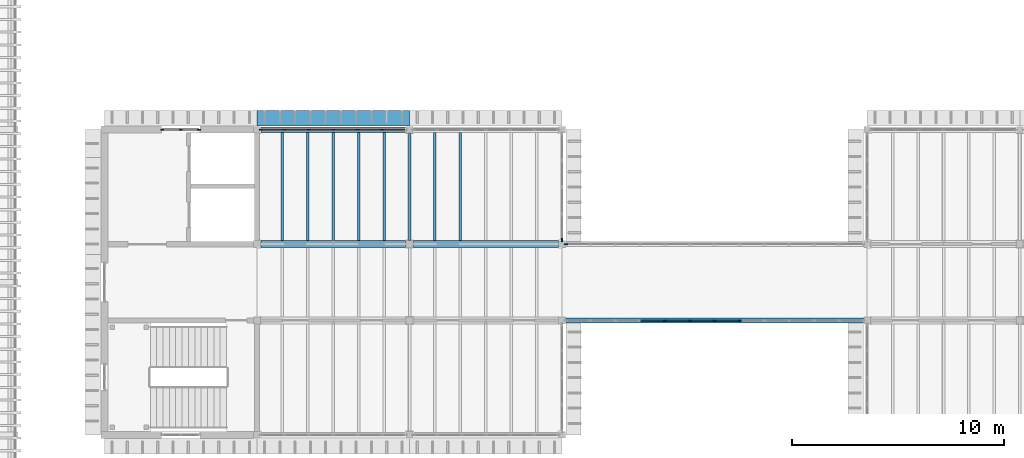
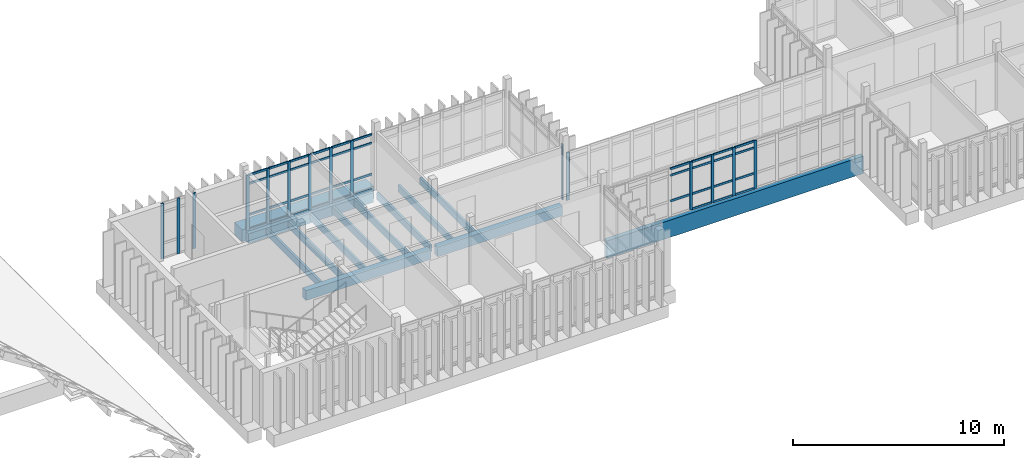
# One storey, part 12 of 71: 55 members, 12 beams, 5 elements without a shape of their own.
"""IFC4 building model written with IfcOpenShell, lengths in metres."""

from ifc_helpers import new_model, si_unit, direction, frame, origin, origin_2d, place, context, subcontext, project, spatial, rectangle, extrude, material, layer, layer_set, material_profile, profile_set, type_object, element, aggregate, save


model = new_model("IFC4")

# Units and contexts
model_context = context("Model", 3, precision=1e-05, world=origin(), true_north=direction((0.0, 1.0)))
body_context = subcontext(model_context, "Body", "Model", "MODEL_VIEW")
ifc_project = project(units=[si_unit("LENGTHUNIT", "METRE"), si_unit("AREAUNIT", "SQUARE_METRE"), si_unit("VOLUMEUNIT", "CUBIC_METRE"), si_unit("PLANEANGLEUNIT", "RADIAN"), si_unit("MASSUNIT", "GRAM", prefix="KILO")], contexts=[model_context])

# Site, building, storey
site_placement = place(None, origin())
site = spatial("IfcSite", under=ifc_project, at=site_placement, CompositionType="ELEMENT")
building_placement = place(site_placement, origin())
building = spatial("IfcBuilding", under=site, at=building_placement, Name="Mazhai Court Health Centre", CompositionType="ELEMENT")
storey_placement = place(building_placement, frame((0.0, 0.0, 10.199951171875)))
storey = spatial("IfcBuildingStorey", under=building, at=storey_placement, Name="L02", CompositionType="ELEMENT", Elevation=10.199951171875)

# Curtain wall, members
ifc_material_1 = material(Name="Teak timber frame, glazed", Category="wood")
ifc_layer_1 = layer(ifc_material_1, 0.10009765625)
ifc_layer_set_1 = layer_set([ifc_layer_1], Name="CURTAIN WALL TIMBER 900")
curtain_wall_type_1 = type_object("IfcCurtainWallType", Name="CURTAIN WALL TIMBER 900", PredefinedType="NOTDEFINED", material=ifc_layer_set_1)
curtain_wall_1_placement = place(storey_placement, origin())
curtain_wall_1 = element("IfcCurtainWall", 1, at=curtain_wall_1_placement, inside=storey, type_object=curtain_wall_type_1, Name="CW-V4-L02-B0", PredefinedType="NOTDEFINED")
ifc_material_2 = material(Name="Teak timber", Category="wood")
ifc_material_profile_1 = material_profile(ifc_material_2, rectangle(XDim=0.06005859375, YDim=0.159912109375, at=origin_2d()), Name="CW MULLION 60x160")
ifc_profile_set_1 = profile_set([ifc_material_profile_1], Name="Teak timber")
member_type_1 = type_object("IfcMemberType", Name="CW MULLION 60x160", PredefinedType="MULLION", material=ifc_profile_set_1)
member_1_placement = place(storey_placement, frame((73.72998046875, 27.800048828125, 0.0), z_axis=(0.0, 0.0, 1.0), x_axis=(0.0, 1.0, 0.0)))
member_1 = element("IfcMember", 2, at=member_1_placement, type_object=member_type_1, Name="CW mullion 1", PredefinedType="MULLION", context=body_context, shape_type="SweptSolid", body=[
    extrude(rectangle(XDim=0.06005859375, YDim=0.159912109375, at=origin_2d()), origin(), (0.0, 0.0, 1.0), 3.219970703125),
])
member_2_placement = place(storey_placement, frame((74.60009765625, 27.800048828125, 0.0), z_axis=(0.0, 0.0, 1.0), x_axis=(0.0, 1.0, 0.0)))
member_2 = element("IfcMember", 3, at=member_2_placement, type_object=member_type_1, Name="CW mullion 2", PredefinedType="MULLION", context=body_context, shape_type="SweptSolid", body=[
    extrude(rectangle(XDim=0.06005859375, YDim=0.159912109375, at=origin_2d()), origin(), (0.0, 0.0, 1.0), 3.219970703125),
])
member_3_placement = place(storey_placement, frame((75.469970703125, 27.800048828125, 0.0), z_axis=(0.0, 0.0, 1.0), x_axis=(0.0, 1.0, 0.0)))
member_3 = element("IfcMember", 4, at=member_3_placement, type_object=member_type_1, Name="CW mullion 3", PredefinedType="MULLION", context=body_context, shape_type="SweptSolid", body=[
    extrude(rectangle(XDim=0.06005859375, YDim=0.159912109375, at=origin_2d()), origin(), (0.0, 0.0, 1.0), 3.219970703125),
])
aggregate(curtain_wall_1, [member_1, member_2, member_3])

ifc_material_3 = material(Name="Teak timber frame, glazed", Category="wood")
ifc_layer_2 = layer(ifc_material_3, 0.10009765625)
ifc_layer_set_2 = layer_set([ifc_layer_2], Name="CURTAIN WALL TIMBER 1200")
curtain_wall_type_2 = type_object("IfcCurtainWallType", Name="CURTAIN WALL TIMBER 1200", PredefinedType="NOTDEFINED", material=ifc_layer_set_2)
curtain_wall_2_placement = place(storey_placement, origin())
curtain_wall_2 = element("IfcCurtainWall", 5, at=curtain_wall_2_placement, inside=storey, type_object=curtain_wall_type_2, Name="CW-V4-L02-B1", PredefinedType="NOTDEFINED")
member_4_placement = place(storey_placement, frame((78.389892578125, 27.800048828125, 0.0), z_axis=(0.0, 0.0, 1.0), x_axis=(0.0, 1.0, 0.0)))
member_4 = element("IfcMember", 6, at=member_4_placement, type_object=member_type_1, Name="CW mullion 1", PredefinedType="MULLION", context=body_context, shape_type="SweptSolid", body=[
    extrude(rectangle(XDim=0.06005859375, YDim=0.159912109375, at=origin_2d()), origin(), (0.0, 0.0, 1.0), 3.219970703125),
])
member_5_placement = place(storey_placement, frame((79.506591796875, 27.800048828125, 0.0), z_axis=(0.0, 0.0, 1.0), x_axis=(0.0, 1.0, 0.0)))
member_5 = element("IfcMember", 7, at=member_5_placement, type_object=member_type_1, Name="CW mullion 2", PredefinedType="MULLION", context=body_context, shape_type="SweptSolid", body=[
    extrude(rectangle(XDim=0.06005859375, YDim=0.159912109375, at=origin_2d()), origin(), (0.0, 0.0, 1.0), 3.219970703125),
])
member_6_placement = place(storey_placement, frame((80.6533203125, 27.800048828125, 0.0), z_axis=(0.0, 0.0, 1.0), x_axis=(0.0, 1.0, 0.0)))
member_6 = element("IfcMember", 8, at=member_6_placement, type_object=member_type_1, Name="CW mullion 3", PredefinedType="MULLION", context=body_context, shape_type="SweptSolid", body=[
    extrude(rectangle(XDim=0.06005859375, YDim=0.159912109375, at=origin_2d()), origin(), (0.0, 0.0, 1.0), 3.219970703125),
])
member_7_placement = place(storey_placement, frame((81.800048828125, 27.800048828125, 0.0), z_axis=(0.0, 0.0, 1.0), x_axis=(0.0, 1.0, 0.0)))
member_7 = element("IfcMember", 9, at=member_7_placement, type_object=member_type_1, Name="CW mullion 4", PredefinedType="MULLION", context=body_context, shape_type="SweptSolid", body=[
    extrude(rectangle(XDim=0.06005859375, YDim=0.159912109375, at=origin_2d()), origin(), (0.0, 0.0, 1.0), 3.219970703125),
])
member_8_placement = place(storey_placement, frame((82.94677734375, 27.800048828125, 0.0), z_axis=(0.0, 0.0, 1.0), x_axis=(0.0, 1.0, 0.0)))
member_8 = element("IfcMember", 10, at=member_8_placement, type_object=member_type_1, Name="CW mullion 5", PredefinedType="MULLION", context=body_context, shape_type="SweptSolid", body=[
    extrude(rectangle(XDim=0.06005859375, YDim=0.159912109375, at=origin_2d()), origin(), (0.0, 0.0, 1.0), 3.219970703125),
])
member_9_placement = place(storey_placement, frame((84.09326171875, 27.800048828125, 0.0), z_axis=(0.0, 0.0, 1.0), x_axis=(0.0, 1.0, 0.0)))
member_9 = element("IfcMember", 11, at=member_9_placement, type_object=member_type_1, Name="CW mullion 6", PredefinedType="MULLION", context=body_context, shape_type="SweptSolid", body=[
    extrude(rectangle(XDim=0.06005859375, YDim=0.159912109375, at=origin_2d()), origin(), (0.0, 0.0, 1.0), 3.219970703125),
])

# Curtain wall, member
curtain_wall_3_placement = place(storey_placement, origin())
curtain_wall_3 = element("IfcCurtainWall", 12, at=curtain_wall_3_placement, inside=storey, type_object=curtain_wall_type_2, Name="CW-V4-L02-CE2-1", PredefinedType="NOTDEFINED")
member_10_placement = place(storey_placement, frame((92.60009765625, 22.590087890625, 0.0), z_axis=(0.0, 0.0, 1.0), x_axis=(1.0, 0.0, 0.0)))
member_10 = element("IfcMember", 13, at=member_10_placement, type_object=member_type_1, Name="CW mullion 5", PredefinedType="MULLION", context=body_context, shape_type="SweptSolid", body=[
    extrude(rectangle(XDim=0.06005859375, YDim=0.159912109375, at=origin_2d()), origin(), (0.0, 0.0, 1.0), 3.199951171875),
])
aggregate(curtain_wall_3, [member_10])

# Curtain wall, members
curtain_wall_4_placement = place(storey_placement, origin())
curtain_wall_4 = element("IfcCurtainWall", 14, at=curtain_wall_4_placement, inside=storey, type_object=curtain_wall_type_2, Name="CW-BR-LC2-S", PredefinedType="NOTDEFINED")
member_11_placement = place(storey_placement, frame((97.453369140625, 18.800048828125, 0.0), z_axis=(0.0, 0.0, 1.0), x_axis=(0.0, 1.0, 0.0)))
member_11 = element("IfcMember", 15, at=member_11_placement, type_object=member_type_1, Name="CW mullion 5", PredefinedType="MULLION", context=body_context, shape_type="SweptSolid", body=[
    extrude(rectangle(XDim=0.06005859375, YDim=0.159912109375, at=origin_2d()), origin(), (0.0, 0.0, 1.0), 2.780029296875),
])
member_12_placement = place(storey_placement, frame((98.626708984375, 18.800048828125, 0.0), z_axis=(0.0, 0.0, 1.0), x_axis=(0.0, 1.0, 0.0)))
member_12 = element("IfcMember", 16, at=member_12_placement, type_object=member_type_1, Name="CW mullion 6", PredefinedType="MULLION", context=body_context, shape_type="SweptSolid", body=[
    extrude(rectangle(XDim=0.06005859375, YDim=0.159912109375, at=origin_2d()), origin(), (0.0, 0.0, 1.0), 2.780029296875),
])
member_13_placement = place(storey_placement, frame((99.800048828125, 18.800048828125, 0.0), z_axis=(0.0, 0.0, 1.0), x_axis=(0.0, 1.0, 0.0)))
member_13 = element("IfcMember", 17, at=member_13_placement, type_object=member_type_1, Name="CW mullion 7", PredefinedType="MULLION", context=body_context, shape_type="SweptSolid", body=[
    extrude(rectangle(XDim=0.06005859375, YDim=0.159912109375, at=origin_2d()), origin(), (0.0, 0.0, 1.0), 2.780029296875),
])
member_14_placement = place(storey_placement, frame((100.973388671875, 18.800048828125, 0.0), z_axis=(0.0, 0.0, 1.0), x_axis=(0.0, 1.0, 0.0)))
member_14 = element("IfcMember", 18, at=member_14_placement, type_object=member_type_1, Name="CW mullion 8", PredefinedType="MULLION", context=body_context, shape_type="SweptSolid", body=[
    extrude(rectangle(XDim=0.06005859375, YDim=0.159912109375, at=origin_2d()), origin(), (0.0, 0.0, 1.0), 2.780029296875),
])

# Curtain wall, member
curtain_wall_5_placement = place(storey_placement, origin())
curtain_wall_5 = element("IfcCurtainWall", 19, at=curtain_wall_5_placement, inside=storey, type_object=curtain_wall_type_2, Name="CW-BR-LC2-N", PredefinedType="NOTDEFINED")
member_15_placement = place(storey_placement, frame((92.7900390625, 22.39990234375, 0.0), z_axis=(0.0, 0.0, 1.0), x_axis=(0.0, 1.0, 0.0)))
member_15 = element("IfcMember", 20, at=member_15_placement, type_object=member_type_1, Name="CW mullion 1", PredefinedType="MULLION", context=body_context, shape_type="SweptSolid", body=[
    extrude(rectangle(XDim=0.06005859375, YDim=0.159912109375, at=origin_2d()), origin(), (0.0, 0.0, 1.0), 2.780029296875),
])
aggregate(curtain_wall_5, [member_15])

# Member
ifc_material_4 = material(Name="Teak timber", Category="wood")
ifc_material_profile_2 = material_profile(ifc_material_4, rectangle(XDim=0.06005859375, YDim=0.1201171875, at=origin_2d()), Name="CW TRANSOM 60x120")
ifc_profile_set_2 = profile_set([ifc_material_profile_2], Name="Teak timber")
member_type_2 = type_object("IfcMemberType", Name="CW TRANSOM 60x120", PredefinedType="USERDEFINED", material=ifc_profile_set_2)
member_16_placement = place(storey_placement, frame((78.419921875, 27.800048828125, 0.030029296875), z_axis=(1.0, 0.0, 0.0), x_axis=(0.0, 1.0, 0.0)))
member_16 = element("IfcMember", 21, at=member_16_placement, type_object=member_type_2, Name="CW transom 1.1", ObjectType="TRANSOM", PredefinedType="USERDEFINED", context=body_context, shape_type="SweptSolid", body=[
    extrude(rectangle(XDim=0.06005859375, YDim=0.1201171875, at=origin_2d()), origin(), (0.0, 0.0, 1.0), 1.056640625),
])

member_17_placement = place(storey_placement, frame((78.419921875, 27.800048828125, 0.900146484375), z_axis=(1.0, 0.0, 0.0), x_axis=(0.0, 1.0, 0.0)))
member_17 = element("IfcMember", 22, at=member_17_placement, type_object=member_type_2, Name="CW transom 1.2", ObjectType="TRANSOM", PredefinedType="USERDEFINED", context=body_context, shape_type="SweptSolid", body=[
    extrude(rectangle(XDim=0.06005859375, YDim=0.1201171875, at=origin_2d()), origin(), (0.0, 0.0, 1.0), 1.056640625),
])

member_18_placement = place(storey_placement, frame((78.419921875, 27.800048828125, 2.699951171875), z_axis=(1.0, 0.0, 0.0), x_axis=(0.0, 1.0, 0.0)))
member_18 = element("IfcMember", 23, at=member_18_placement, type_object=member_type_2, Name="CW transom 1.3", ObjectType="TRANSOM", PredefinedType="USERDEFINED", context=body_context, shape_type="SweptSolid", body=[
    extrude(rectangle(XDim=0.06005859375, YDim=0.1201171875, at=origin_2d()), origin(), (0.0, 0.0, 1.0), 1.056640625),
])

member_19_placement = place(storey_placement, frame((78.419921875, 27.800048828125, 3.18994140625), z_axis=(1.0, 0.0, 0.0), x_axis=(0.0, 1.0, 0.0)))
member_19 = element("IfcMember", 24, at=member_19_placement, type_object=member_type_2, Name="CW transom 1.4", ObjectType="TRANSOM", PredefinedType="USERDEFINED", context=body_context, shape_type="SweptSolid", body=[
    extrude(rectangle(XDim=0.06005859375, YDim=0.1201171875, at=origin_2d()), origin(), (0.0, 0.0, 1.0), 1.056640625),
])

member_20_placement = place(storey_placement, frame((79.53662109375, 27.800048828125, 0.030029296875), z_axis=(1.0, 0.0, 0.0), x_axis=(0.0, 1.0, 0.0)))
member_20 = element("IfcMember", 25, at=member_20_placement, type_object=member_type_2, Name="CW transom 2.1", ObjectType="TRANSOM", PredefinedType="USERDEFINED", context=body_context, shape_type="SweptSolid", body=[
    extrude(rectangle(XDim=0.06005859375, YDim=0.1201171875, at=origin_2d()), origin(), (0.0, 0.0, 1.0), 1.086669921875),
])

member_21_placement = place(storey_placement, frame((79.53662109375, 27.800048828125, 0.900146484375), z_axis=(1.0, 0.0, 0.0), x_axis=(0.0, 1.0, 0.0)))
member_21 = element("IfcMember", 26, at=member_21_placement, type_object=member_type_2, Name="CW transom 2.2", ObjectType="TRANSOM", PredefinedType="USERDEFINED", context=body_context, shape_type="SweptSolid", body=[
    extrude(rectangle(XDim=0.06005859375, YDim=0.1201171875, at=origin_2d()), origin(), (0.0, 0.0, 1.0), 1.086669921875),
])

member_22_placement = place(storey_placement, frame((79.53662109375, 27.800048828125, 2.699951171875), z_axis=(1.0, 0.0, 0.0), x_axis=(0.0, 1.0, 0.0)))
member_22 = element("IfcMember", 27, at=member_22_placement, type_object=member_type_2, Name="CW transom 2.3", ObjectType="TRANSOM", PredefinedType="USERDEFINED", context=body_context, shape_type="SweptSolid", body=[
    extrude(rectangle(XDim=0.06005859375, YDim=0.1201171875, at=origin_2d()), origin(), (0.0, 0.0, 1.0), 1.086669921875),
])

member_23_placement = place(storey_placement, frame((79.53662109375, 27.800048828125, 3.18994140625), z_axis=(1.0, 0.0, 0.0), x_axis=(0.0, 1.0, 0.0)))
member_23 = element("IfcMember", 28, at=member_23_placement, type_object=member_type_2, Name="CW transom 2.4", ObjectType="TRANSOM", PredefinedType="USERDEFINED", context=body_context, shape_type="SweptSolid", body=[
    extrude(rectangle(XDim=0.06005859375, YDim=0.1201171875, at=origin_2d()), origin(), (0.0, 0.0, 1.0), 1.086669921875),
])

member_24_placement = place(storey_placement, frame((80.683349609375, 27.800048828125, 0.030029296875), z_axis=(1.0, 0.0, 0.0), x_axis=(0.0, 1.0, 0.0)))
member_24 = element("IfcMember", 29, at=member_24_placement, type_object=member_type_2, Name="CW transom 3.1", ObjectType="TRANSOM", PredefinedType="USERDEFINED", context=body_context, shape_type="SweptSolid", body=[
    extrude(rectangle(XDim=0.06005859375, YDim=0.1201171875, at=origin_2d()), origin(), (0.0, 0.0, 1.0), 1.086669921875),
])

member_25_placement = place(storey_placement, frame((80.683349609375, 27.800048828125, 0.900146484375), z_axis=(1.0, 0.0, 0.0), x_axis=(0.0, 1.0, 0.0)))
member_25 = element("IfcMember", 30, at=member_25_placement, type_object=member_type_2, Name="CW transom 3.2", ObjectType="TRANSOM", PredefinedType="USERDEFINED", context=body_context, shape_type="SweptSolid", body=[
    extrude(rectangle(XDim=0.06005859375, YDim=0.1201171875, at=origin_2d()), origin(), (0.0, 0.0, 1.0), 1.086669921875),
])

member_26_placement = place(storey_placement, frame((80.683349609375, 27.800048828125, 2.699951171875), z_axis=(1.0, 0.0, 0.0), x_axis=(0.0, 1.0, 0.0)))
member_26 = element("IfcMember", 31, at=member_26_placement, type_object=member_type_2, Name="CW transom 3.3", ObjectType="TRANSOM", PredefinedType="USERDEFINED", context=body_context, shape_type="SweptSolid", body=[
    extrude(rectangle(XDim=0.06005859375, YDim=0.1201171875, at=origin_2d()), origin(), (0.0, 0.0, 1.0), 1.086669921875),
])

member_27_placement = place(storey_placement, frame((80.683349609375, 27.800048828125, 3.18994140625), z_axis=(1.0, 0.0, 0.0), x_axis=(0.0, 1.0, 0.0)))
member_27 = element("IfcMember", 32, at=member_27_placement, type_object=member_type_2, Name="CW transom 3.4", ObjectType="TRANSOM", PredefinedType="USERDEFINED", context=body_context, shape_type="SweptSolid", body=[
    extrude(rectangle(XDim=0.06005859375, YDim=0.1201171875, at=origin_2d()), origin(), (0.0, 0.0, 1.0), 1.086669921875),
])

member_28_placement = place(storey_placement, frame((81.830078125, 27.800048828125, 0.030029296875), z_axis=(1.0, 0.0, 0.0), x_axis=(0.0, 1.0, 0.0)))
member_28 = element("IfcMember", 33, at=member_28_placement, type_object=member_type_2, Name="CW transom 4.1", ObjectType="TRANSOM", PredefinedType="USERDEFINED", context=body_context, shape_type="SweptSolid", body=[
    extrude(rectangle(XDim=0.06005859375, YDim=0.1201171875, at=origin_2d()), origin(), (0.0, 0.0, 1.0), 1.086669921875),
])

member_29_placement = place(storey_placement, frame((81.830078125, 27.800048828125, 0.900146484375), z_axis=(1.0, 0.0, 0.0), x_axis=(0.0, 1.0, 0.0)))
member_29 = element("IfcMember", 34, at=member_29_placement, type_object=member_type_2, Name="CW transom 4.2", ObjectType="TRANSOM", PredefinedType="USERDEFINED", context=body_context, shape_type="SweptSolid", body=[
    extrude(rectangle(XDim=0.06005859375, YDim=0.1201171875, at=origin_2d()), origin(), (0.0, 0.0, 1.0), 1.086669921875),
])

member_30_placement = place(storey_placement, frame((81.830078125, 27.800048828125, 2.699951171875), z_axis=(1.0, 0.0, 0.0), x_axis=(0.0, 1.0, 0.0)))
member_30 = element("IfcMember", 35, at=member_30_placement, type_object=member_type_2, Name="CW transom 4.3", ObjectType="TRANSOM", PredefinedType="USERDEFINED", context=body_context, shape_type="SweptSolid", body=[
    extrude(rectangle(XDim=0.06005859375, YDim=0.1201171875, at=origin_2d()), origin(), (0.0, 0.0, 1.0), 1.086669921875),
])

member_31_placement = place(storey_placement, frame((81.830078125, 27.800048828125, 3.18994140625), z_axis=(1.0, 0.0, 0.0), x_axis=(0.0, 1.0, 0.0)))
member_31 = element("IfcMember", 36, at=member_31_placement, type_object=member_type_2, Name="CW transom 4.4", ObjectType="TRANSOM", PredefinedType="USERDEFINED", context=body_context, shape_type="SweptSolid", body=[
    extrude(rectangle(XDim=0.06005859375, YDim=0.1201171875, at=origin_2d()), origin(), (0.0, 0.0, 1.0), 1.086669921875),
])

member_32_placement = place(storey_placement, frame((82.9765625, 27.800048828125, 0.030029296875), z_axis=(1.0, 0.0, 0.0), x_axis=(0.0, 1.0, 0.0)))
member_32 = element("IfcMember", 37, at=member_32_placement, type_object=member_type_2, Name="CW transom 5.1", ObjectType="TRANSOM", PredefinedType="USERDEFINED", context=body_context, shape_type="SweptSolid", body=[
    extrude(rectangle(XDim=0.06005859375, YDim=0.1201171875, at=origin_2d()), origin(), (0.0, 0.0, 1.0), 1.086669921875),
])

member_33_placement = place(storey_placement, frame((82.9765625, 27.800048828125, 0.900146484375), z_axis=(1.0, 0.0, 0.0), x_axis=(0.0, 1.0, 0.0)))
member_33 = element("IfcMember", 38, at=member_33_placement, type_object=member_type_2, Name="CW transom 5.2", ObjectType="TRANSOM", PredefinedType="USERDEFINED", context=body_context, shape_type="SweptSolid", body=[
    extrude(rectangle(XDim=0.06005859375, YDim=0.1201171875, at=origin_2d()), origin(), (0.0, 0.0, 1.0), 1.086669921875),
])

member_34_placement = place(storey_placement, frame((82.9765625, 27.800048828125, 2.699951171875), z_axis=(1.0, 0.0, 0.0), x_axis=(0.0, 1.0, 0.0)))
member_34 = element("IfcMember", 39, at=member_34_placement, type_object=member_type_2, Name="CW transom 5.3", ObjectType="TRANSOM", PredefinedType="USERDEFINED", context=body_context, shape_type="SweptSolid", body=[
    extrude(rectangle(XDim=0.06005859375, YDim=0.1201171875, at=origin_2d()), origin(), (0.0, 0.0, 1.0), 1.086669921875),
])

member_35_placement = place(storey_placement, frame((82.9765625, 27.800048828125, 3.18994140625), z_axis=(1.0, 0.0, 0.0), x_axis=(0.0, 1.0, 0.0)))
member_35 = element("IfcMember", 40, at=member_35_placement, type_object=member_type_2, Name="CW transom 5.4", ObjectType="TRANSOM", PredefinedType="USERDEFINED", context=body_context, shape_type="SweptSolid", body=[
    extrude(rectangle(XDim=0.06005859375, YDim=0.1201171875, at=origin_2d()), origin(), (0.0, 0.0, 1.0), 1.086669921875),
])

member_36_placement = place(storey_placement, frame((84.123291015625, 27.800048828125, 0.030029296875), z_axis=(1.0, 0.0, 0.0), x_axis=(0.0, 1.0, 0.0)))
member_36 = element("IfcMember", 41, at=member_36_placement, type_object=member_type_2, Name="CW transom 6.1", ObjectType="TRANSOM", PredefinedType="USERDEFINED", context=body_context, shape_type="SweptSolid", body=[
    extrude(rectangle(XDim=0.06005859375, YDim=0.1201171875, at=origin_2d()), origin(), (0.0, 0.0, 1.0), 1.056640625),
])

member_37_placement = place(storey_placement, frame((84.123291015625, 27.800048828125, 0.900146484375), z_axis=(1.0, 0.0, 0.0), x_axis=(0.0, 1.0, 0.0)))
member_37 = element("IfcMember", 42, at=member_37_placement, type_object=member_type_2, Name="CW transom 6.2", ObjectType="TRANSOM", PredefinedType="USERDEFINED", context=body_context, shape_type="SweptSolid", body=[
    extrude(rectangle(XDim=0.06005859375, YDim=0.1201171875, at=origin_2d()), origin(), (0.0, 0.0, 1.0), 1.056640625),
])

member_38_placement = place(storey_placement, frame((84.123291015625, 27.800048828125, 2.699951171875), z_axis=(1.0, 0.0, 0.0), x_axis=(0.0, 1.0, 0.0)))
member_38 = element("IfcMember", 43, at=member_38_placement, type_object=member_type_2, Name="CW transom 6.3", ObjectType="TRANSOM", PredefinedType="USERDEFINED", context=body_context, shape_type="SweptSolid", body=[
    extrude(rectangle(XDim=0.06005859375, YDim=0.1201171875, at=origin_2d()), origin(), (0.0, 0.0, 1.0), 1.056640625),
])

member_39_placement = place(storey_placement, frame((84.123291015625, 27.800048828125, 3.18994140625), z_axis=(1.0, 0.0, 0.0), x_axis=(0.0, 1.0, 0.0)))
member_39 = element("IfcMember", 44, at=member_39_placement, type_object=member_type_2, Name="CW transom 6.4", ObjectType="TRANSOM", PredefinedType="USERDEFINED", context=body_context, shape_type="SweptSolid", body=[
    extrude(rectangle(XDim=0.06005859375, YDim=0.1201171875, at=origin_2d()), origin(), (0.0, 0.0, 1.0), 1.056640625),
])

aggregate(curtain_wall_2, [member_4, member_5, member_6, member_7, member_8, member_9, member_16, member_17, member_18, member_19, member_20, member_21, member_22, member_23, member_24, member_25, member_26, member_27, member_28, member_29, member_30, member_31, member_32, member_33, member_34, member_35, member_36, member_37, member_38, member_39])

member_40_placement = place(storey_placement, frame((96.31005859375, 18.800048828125, 0.900146484375), z_axis=(1.0, 0.0, 0.0), x_axis=(0.0, 1.0, 0.0)))
member_40 = element("IfcMember", 45, at=member_40_placement, type_object=member_type_2, Name="CW transom 4.2", ObjectType="TRANSOM", PredefinedType="USERDEFINED", context=body_context, shape_type="SweptSolid", body=[
    extrude(rectangle(XDim=0.06005859375, YDim=0.1201171875, at=origin_2d()), origin(), (0.0, 0.0, 1.0), 1.11328125),
])

member_41_placement = place(storey_placement, frame((96.31005859375, 18.800048828125, 2.380126953125), z_axis=(1.0, 0.0, 0.0), x_axis=(0.0, 1.0, 0.0)))
member_41 = element("IfcMember", 46, at=member_41_placement, type_object=member_type_2, Name="CW transom 4.3", ObjectType="TRANSOM", PredefinedType="USERDEFINED", context=body_context, shape_type="SweptSolid", body=[
    extrude(rectangle(XDim=0.06005859375, YDim=0.1201171875, at=origin_2d()), origin(), (0.0, 0.0, 1.0), 1.11328125),
])

member_42_placement = place(storey_placement, frame((96.31005859375, 18.800048828125, 2.75), z_axis=(1.0, 0.0, 0.0), x_axis=(0.0, 1.0, 0.0)))
member_42 = element("IfcMember", 47, at=member_42_placement, type_object=member_type_2, Name="CW transom 4.4", ObjectType="TRANSOM", PredefinedType="USERDEFINED", context=body_context, shape_type="SweptSolid", body=[
    extrude(rectangle(XDim=0.06005859375, YDim=0.1201171875, at=origin_2d()), origin(), (0.0, 0.0, 1.0), 1.11328125),
])

member_43_placement = place(storey_placement, frame((97.4833984375, 18.800048828125, 0.030029296875), z_axis=(1.0, 0.0, 0.0), x_axis=(0.0, 1.0, 0.0)))
member_43 = element("IfcMember", 48, at=member_43_placement, type_object=member_type_2, Name="CW transom 5.1", ObjectType="TRANSOM", PredefinedType="USERDEFINED", context=body_context, shape_type="SweptSolid", body=[
    extrude(rectangle(XDim=0.06005859375, YDim=0.1201171875, at=origin_2d()), origin(), (0.0, 0.0, 1.0), 1.11328125),
])

member_44_placement = place(storey_placement, frame((97.4833984375, 18.800048828125, 0.900146484375), z_axis=(1.0, 0.0, 0.0), x_axis=(0.0, 1.0, 0.0)))
member_44 = element("IfcMember", 49, at=member_44_placement, type_object=member_type_2, Name="CW transom 5.2", ObjectType="TRANSOM", PredefinedType="USERDEFINED", context=body_context, shape_type="SweptSolid", body=[
    extrude(rectangle(XDim=0.06005859375, YDim=0.1201171875, at=origin_2d()), origin(), (0.0, 0.0, 1.0), 1.11328125),
])

member_45_placement = place(storey_placement, frame((97.4833984375, 18.800048828125, 2.380126953125), z_axis=(1.0, 0.0, 0.0), x_axis=(0.0, 1.0, 0.0)))
member_45 = element("IfcMember", 50, at=member_45_placement, type_object=member_type_2, Name="CW transom 5.3", ObjectType="TRANSOM", PredefinedType="USERDEFINED", context=body_context, shape_type="SweptSolid", body=[
    extrude(rectangle(XDim=0.06005859375, YDim=0.1201171875, at=origin_2d()), origin(), (0.0, 0.0, 1.0), 1.11328125),
])

member_46_placement = place(storey_placement, frame((97.4833984375, 18.800048828125, 2.75), z_axis=(1.0, 0.0, 0.0), x_axis=(0.0, 1.0, 0.0)))
member_46 = element("IfcMember", 51, at=member_46_placement, type_object=member_type_2, Name="CW transom 5.4", ObjectType="TRANSOM", PredefinedType="USERDEFINED", context=body_context, shape_type="SweptSolid", body=[
    extrude(rectangle(XDim=0.06005859375, YDim=0.1201171875, at=origin_2d()), origin(), (0.0, 0.0, 1.0), 1.11328125),
])

member_47_placement = place(storey_placement, frame((98.65673828125, 18.800048828125, 0.030029296875), z_axis=(1.0, 0.0, 0.0), x_axis=(0.0, 1.0, 0.0)))
member_47 = element("IfcMember", 52, at=member_47_placement, type_object=member_type_2, Name="CW transom 6.1", ObjectType="TRANSOM", PredefinedType="USERDEFINED", context=body_context, shape_type="SweptSolid", body=[
    extrude(rectangle(XDim=0.06005859375, YDim=0.1201171875, at=origin_2d()), origin(), (0.0, 0.0, 1.0), 1.11328125),
])

member_48_placement = place(storey_placement, frame((98.65673828125, 18.800048828125, 0.900146484375), z_axis=(1.0, 0.0, 0.0), x_axis=(0.0, 1.0, 0.0)))
member_48 = element("IfcMember", 53, at=member_48_placement, type_object=member_type_2, Name="CW transom 6.2", ObjectType="TRANSOM", PredefinedType="USERDEFINED", context=body_context, shape_type="SweptSolid", body=[
    extrude(rectangle(XDim=0.06005859375, YDim=0.1201171875, at=origin_2d()), origin(), (0.0, 0.0, 1.0), 1.11328125),
])

member_49_placement = place(storey_placement, frame((98.65673828125, 18.800048828125, 2.380126953125), z_axis=(1.0, 0.0, 0.0), x_axis=(0.0, 1.0, 0.0)))
member_49 = element("IfcMember", 54, at=member_49_placement, type_object=member_type_2, Name="CW transom 6.3", ObjectType="TRANSOM", PredefinedType="USERDEFINED", context=body_context, shape_type="SweptSolid", body=[
    extrude(rectangle(XDim=0.06005859375, YDim=0.1201171875, at=origin_2d()), origin(), (0.0, 0.0, 1.0), 1.11328125),
])

member_50_placement = place(storey_placement, frame((98.65673828125, 18.800048828125, 2.75), z_axis=(1.0, 0.0, 0.0), x_axis=(0.0, 1.0, 0.0)))
member_50 = element("IfcMember", 55, at=member_50_placement, type_object=member_type_2, Name="CW transom 6.4", ObjectType="TRANSOM", PredefinedType="USERDEFINED", context=body_context, shape_type="SweptSolid", body=[
    extrude(rectangle(XDim=0.06005859375, YDim=0.1201171875, at=origin_2d()), origin(), (0.0, 0.0, 1.0), 1.11328125),
])

member_51_placement = place(storey_placement, frame((99.830078125, 18.800048828125, 0.030029296875), z_axis=(1.0, 0.0, 0.0), x_axis=(0.0, 1.0, 0.0)))
member_51 = element("IfcMember", 56, at=member_51_placement, type_object=member_type_2, Name="CW transom 7.1", ObjectType="TRANSOM", PredefinedType="USERDEFINED", context=body_context, shape_type="SweptSolid", body=[
    extrude(rectangle(XDim=0.06005859375, YDim=0.1201171875, at=origin_2d()), origin(), (0.0, 0.0, 1.0), 1.11328125),
])

member_52_placement = place(storey_placement, frame((99.830078125, 18.800048828125, 0.900146484375), z_axis=(1.0, 0.0, 0.0), x_axis=(0.0, 1.0, 0.0)))
member_52 = element("IfcMember", 57, at=member_52_placement, type_object=member_type_2, Name="CW transom 7.2", ObjectType="TRANSOM", PredefinedType="USERDEFINED", context=body_context, shape_type="SweptSolid", body=[
    extrude(rectangle(XDim=0.06005859375, YDim=0.1201171875, at=origin_2d()), origin(), (0.0, 0.0, 1.0), 1.11328125),
])

member_53_placement = place(storey_placement, frame((99.830078125, 18.800048828125, 2.380126953125), z_axis=(1.0, 0.0, 0.0), x_axis=(0.0, 1.0, 0.0)))
member_53 = element("IfcMember", 58, at=member_53_placement, type_object=member_type_2, Name="CW transom 7.3", ObjectType="TRANSOM", PredefinedType="USERDEFINED", context=body_context, shape_type="SweptSolid", body=[
    extrude(rectangle(XDim=0.06005859375, YDim=0.1201171875, at=origin_2d()), origin(), (0.0, 0.0, 1.0), 1.11328125),
])

member_54_placement = place(storey_placement, frame((99.830078125, 18.800048828125, 2.75), z_axis=(1.0, 0.0, 0.0), x_axis=(0.0, 1.0, 0.0)))
member_54 = element("IfcMember", 59, at=member_54_placement, type_object=member_type_2, Name="CW transom 7.4", ObjectType="TRANSOM", PredefinedType="USERDEFINED", context=body_context, shape_type="SweptSolid", body=[
    extrude(rectangle(XDim=0.06005859375, YDim=0.1201171875, at=origin_2d()), origin(), (0.0, 0.0, 1.0), 1.11328125),
])

aggregate(curtain_wall_4, [member_11, member_12, member_13, member_14, member_40, member_41, member_42, member_43, member_44, member_45, member_46, member_47, member_48, member_49, member_50, member_51, member_52, member_53, member_54])

ifc_material_5 = material(Name="Glulam GL24h", Category="wood")
ifc_material_profile_3 = material_profile(ifc_material_5, rectangle(XDim=0.719970703125, YDim=0.699951171875, at=origin_2d()), Name="FIN RAIL 720x700")
ifc_profile_set_3 = profile_set([ifc_material_profile_3], Name="Glulam GL24h")
member_type_3 = type_object("IfcMemberType", Name="FIN RAIL 720x700", PredefinedType="USERDEFINED", material=ifc_profile_set_3)
member_55_placement = place(storey_placement, frame((78.199951171875, 28.340087890625, -0.349853515625), z_axis=(1.0, 0.0, 0.0), x_axis=(0.0, 1.0, 0.0)))
element("IfcMember", 60, at=member_55_placement, inside=storey, type_object=member_type_3, Name="FR-V4-B1-L02", ObjectType="FIN RAIL", PredefinedType="USERDEFINED", context=body_context, shape_type="SweptSolid", body=[
    extrude(rectangle(XDim=0.719970703125, YDim=0.699951171875, at=origin_2d()), origin(), (0.0, 0.0, 1.0), 7.199951171875),
])

# Beams
ifc_material_6 = material(Name="Glulam GL24h", Category="wood")
ifc_material_profile_4 = material_profile(ifc_material_6, rectangle(XDim=0.1201171875, YDim=0.39990234375, at=origin_2d()), Name="GL24h 120x400")
ifc_profile_set_4 = profile_set([ifc_material_profile_4], Name="Glulam GL24h")
beam_type_1 = type_object("IfcBeamType", Name="GL24h 120x400 joist", PredefinedType="JOIST", material=ifc_profile_set_4)
for number, where, z_axis, x_axis, name in (
    (61, (79.39990234375, 22.56005859375, -0.320068359375), (0.0, 1.0, 0.0), (-1.0, 0.0, 0.0), "joist-V4-L02-1-C1"),
    (62, (80.60009765625, 22.56005859375, -0.320068359375), (0.0, 1.0, 0.0), (-1.0, 0.0, 0.0), "joist-V4-L02-1-C2"),
    (63, (81.800048828125, 22.56005859375, -0.320068359375), (0.0, 1.0, 0.0), (-1.0, 0.0, 0.0), "joist-V4-L02-1-C3"),
    (64, (83.0, 22.56005859375, -0.320068359375), (0.0, 1.0, 0.0), (-1.0, 0.0, 0.0), "joist-V4-L02-1-C4"),
    (65, (84.199951171875, 22.56005859375, -0.320068359375), (0.0, 1.0, 0.0), (-1.0, 0.0, 0.0), "joist-V4-L02-1-C5"),
):
    element("IfcBeam", number, at=place(storey_placement, frame(where, z_axis=z_axis, x_axis=x_axis)), inside=storey, type_object=beam_type_1, Name=name, PredefinedType="JOIST", context=body_context, shape_type="SweptSolid", body=[
        extrude(rectangle(XDim=0.1201171875, YDim=0.39990234375, at=origin_2d()), origin(), (0.0, 0.0, 1.0), 5.119873046875),
    ])
beam_1_placement = place(storey_placement, frame((85.39990234375, 22.580078125, -0.320068359375), z_axis=(0.0, 1.0, 0.0), x_axis=(-1.0, 0.0, 0.0)))
element("IfcBeam", 66, at=beam_1_placement, inside=storey, type_object=beam_type_1, Name="joist-V4-L02-2-C0", PredefinedType="JOIST", context=body_context, shape_type="SweptSolid", body=[
    extrude(rectangle(XDim=0.1201171875, YDim=0.39990234375, at=origin_2d()), origin(), (0.0, 0.0, 1.0), 5.0400390625),
])
for number, where, z_axis, x_axis, name in (
    (67, (86.60009765625, 22.56005859375, -0.320068359375), (0.0, 1.0, 0.0), (-1.0, 0.0, 0.0), "joist-V4-L02-2-C1"),
    (68, (87.800048828125, 22.56005859375, -0.320068359375), (0.0, 1.0, 0.0), (-1.0, 0.0, 0.0), "joist-V4-L02-2-C2"),
):
    element("IfcBeam", number, at=place(storey_placement, frame(where, z_axis=z_axis, x_axis=x_axis)), inside=storey, type_object=beam_type_1, Name=name, PredefinedType="JOIST", context=body_context, shape_type="SweptSolid", body=[
        extrude(rectangle(XDim=0.1201171875, YDim=0.39990234375, at=origin_2d()), origin(), (0.0, 0.0, 1.0), 5.119873046875),
    ])
ifc_material_7 = material(Name="Glulam GL28h", Category="wood")
ifc_material_profile_5 = material_profile(ifc_material_7, rectangle(XDim=0.239990234375, YDim=1.0, at=origin_2d()), Name="GL28h 240x1000")
ifc_profile_set_5 = profile_set([ifc_material_profile_5], Name="Glulam GL28h")
beam_type_2 = type_object("IfcBeamType", Name="GL28h 240x1000 girder", PredefinedType="BEAM", material=ifc_profile_set_5)
beam_2_placement = place(storey_placement, frame((92.780029296875, 18.800048828125, -0.619873046875), z_axis=(1.0, 0.0, 0.0), x_axis=(0.0, 1.0, 0.0)))
element("IfcBeam", 69, at=beam_2_placement, inside=storey, type_object=beam_type_2, Name="girder-BR-LC2-S", PredefinedType="BEAM", context=body_context, shape_type="SweptSolid", body=[
    extrude(rectangle(XDim=0.239990234375, YDim=1.0, at=origin_2d()), origin(), (0.0, 0.0, 1.0), 14.0400390625),
])
ifc_material_8 = material(Name="Glulam GL28h", Category="wood")
ifc_material_profile_6 = material_profile(ifc_material_8, rectangle(XDim=0.239990234375, YDim=0.56005859375, at=origin_2d()), Name="GL28h 240x560")
ifc_profile_set_6 = profile_set([ifc_material_profile_6], Name="Glulam GL28h")
beam_type_3 = type_object("IfcBeamType", Name="GL28h 240x560 beam", PredefinedType="BEAM", material=ifc_profile_set_6)
beam_3_placement = place(storey_placement, frame((78.3798828125, 27.800048828125, -0.39990234375), z_axis=(1.0, 0.0, 0.0), x_axis=(0.0, 1.0, 0.0)))
element("IfcBeam", 70, at=beam_3_placement, inside=storey, type_object=beam_type_3, Name="beam-V4-L02-1-D", PredefinedType="BEAM", context=body_context, shape_type="SweptSolid", body=[
    extrude(rectangle(XDim=0.239990234375, YDim=0.56005859375, at=origin_2d()), origin(), (0.0, 0.0, 1.0), 6.840087890625),
])
ifc_material_9 = material(Name="Glulam GL28h", Category="wood")
ifc_material_profile_7 = material_profile(ifc_material_9, rectangle(XDim=0.320068359375, YDim=0.56005859375, at=origin_2d()), Name="GL28h 320x560")
ifc_profile_set_7 = profile_set([ifc_material_profile_7], Name="Glulam GL28h")
beam_type_4 = type_object("IfcBeamType", Name="GL28h 320x560 beam", PredefinedType="BEAM", material=ifc_profile_set_7)
beam_4_placement = place(storey_placement, frame((78.3798828125, 22.39990234375, -0.39990234375), z_axis=(1.0, 0.0, 0.0), x_axis=(0.0, 1.0, 0.0)))
element("IfcBeam", 71, at=beam_4_placement, inside=storey, type_object=beam_type_4, Name="beam-V4-L02-1-C", PredefinedType="BEAM", context=body_context, shape_type="SweptSolid", body=[
    extrude(rectangle(XDim=0.320068359375, YDim=0.56005859375, at=origin_2d()), origin(), (0.0, 0.0, 1.0), 6.840087890625),
])
beam_5_placement = place(storey_placement, frame((85.580078125, 22.39990234375, -0.39990234375), z_axis=(1.0, 0.0, 0.0), x_axis=(0.0, 1.0, 0.0)))
element("IfcBeam", 72, at=beam_5_placement, inside=storey, type_object=beam_type_4, Name="beam-V4-L02-2-C", PredefinedType="BEAM", context=body_context, shape_type="SweptSolid", body=[
    extrude(rectangle(XDim=0.320068359375, YDim=0.56005859375, at=origin_2d()), origin(), (0.0, 0.0, 1.0), 6.83984375),
])

save(model, "model.ifc")
